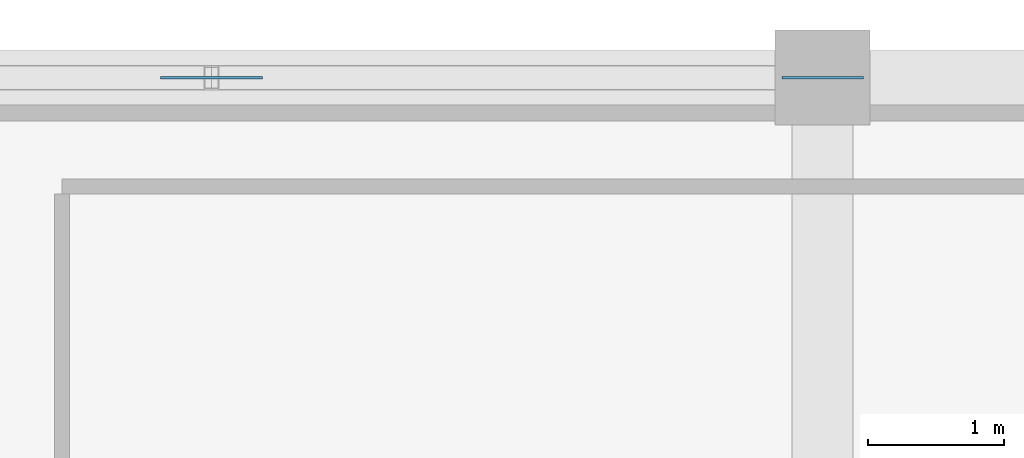
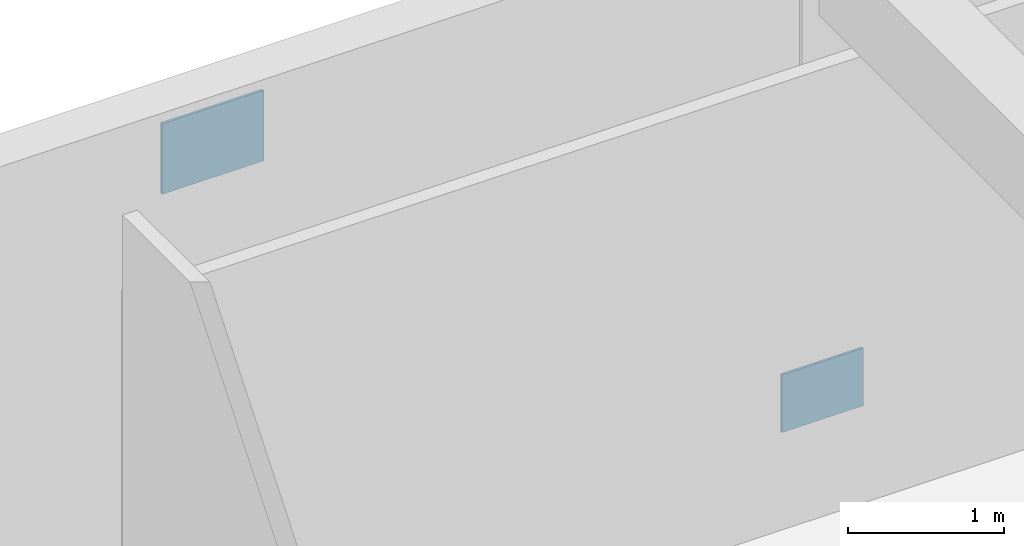
# One storey, part 106 of 133: 2 plates.
"""IFC4 building model written with IfcOpenShell, lengths in metres."""

from ifc_helpers import new_model, si_unit, direction, frame, origin, origin_2d, place, context, subcontext, project, spatial, rectangle, extrude, material, layer, layer_set, type_object, element, save


model = new_model("IFC4")

# Units and contexts
model_context = context("Model", 3, precision=1e-05, world=origin(), true_north=direction((0.0, 1.0)))
body_context = subcontext(model_context, "Body", "Model", "MODEL_VIEW")
ifc_project = project(units=[si_unit("LENGTHUNIT", "METRE"), si_unit("AREAUNIT", "SQUARE_METRE"), si_unit("VOLUMEUNIT", "CUBIC_METRE"), si_unit("PLANEANGLEUNIT", "RADIAN"), si_unit("MASSUNIT", "GRAM", prefix="KILO")], contexts=[model_context])

# Site, building, storey
site_placement = place(None, origin())
site = spatial("IfcSite", under=ifc_project, at=site_placement, CompositionType="ELEMENT")
building_placement = place(site_placement, origin())
building = spatial("IfcBuilding", under=site, at=building_placement, Name="Miravela Opera House", CompositionType="ELEMENT")
storey_placement = place(building_placement, frame((0.0, 0.0, 5.10009765625)))
storey = spatial("IfcBuildingStorey", under=building, at=storey_placement, Name="L01", CompositionType="ELEMENT", Elevation=5.10009765625)

# Plates
ifc_material = material(Name="Structural steel ASTM A572 Gr. 50", Category="steel")
ifc_layer_1 = layer(ifc_material, 0.01806640625)
ifc_layer_set_1 = layer_set([ifc_layer_1])
plate_type_1 = type_object("IfcPlateType", Name="STR-PL-GUS-600X450X18", PredefinedType="USERDEFINED", material=ifc_layer_set_1)
plate_1_placement = place(storey_placement, frame((135.0, 112.0, 0.07470703125), z_axis=(0.0, 0.0, 1.0), x_axis=(1.0, 0.0, 0.0)))
element("IfcPlate", 1, at=plate_1_placement, inside=storey, type_object=plate_type_1, Name="Brace Wall Cast-In Embed Plate 350", ObjectType="GUSSET PLATE", PredefinedType="USERDEFINED", context=body_context, shape_type="SweptSolid", body=[
    extrude(rectangle(XDim=0.60009765625, YDim=0.01806640625, at=origin_2d()), origin(), (0.0, 0.0, 1.0), 0.449951171875),
])
ifc_layer_2 = layer(ifc_material, 0.02001953125)
ifc_layer_set_2 = layer_set([ifc_layer_2])
plate_type_2 = type_object("IfcPlateType", Name="STR-PL-GUS-750X550X20", PredefinedType="USERDEFINED", material=ifc_layer_set_2)
plate_2_placement = place(storey_placement, frame((130.5, 112.0, 3.53466796875), z_axis=(0.0, 0.0, 1.0), x_axis=(1.0, 0.0, 0.0)))
element("IfcPlate", 2, at=plate_2_placement, inside=storey, type_object=plate_type_2, Name="Chevron Brace Apex Gusset Plate 348", ObjectType="GUSSET PLATE", PredefinedType="USERDEFINED", context=body_context, shape_type="SweptSolid", body=[
    extrude(rectangle(XDim=0.75, YDim=0.02001953125, at=origin_2d()), origin(), (0.0, 0.0, 1.0), 0.550048828125),
])

save(model, "model.ifc")
